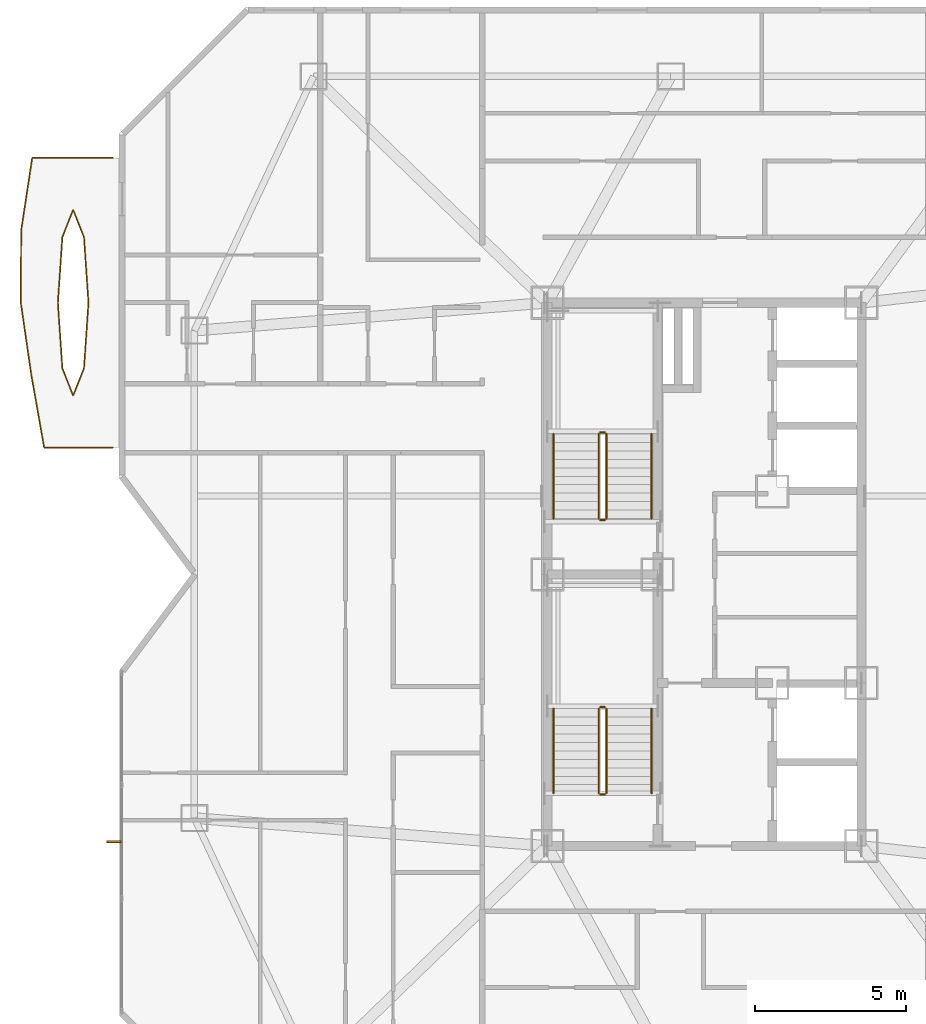
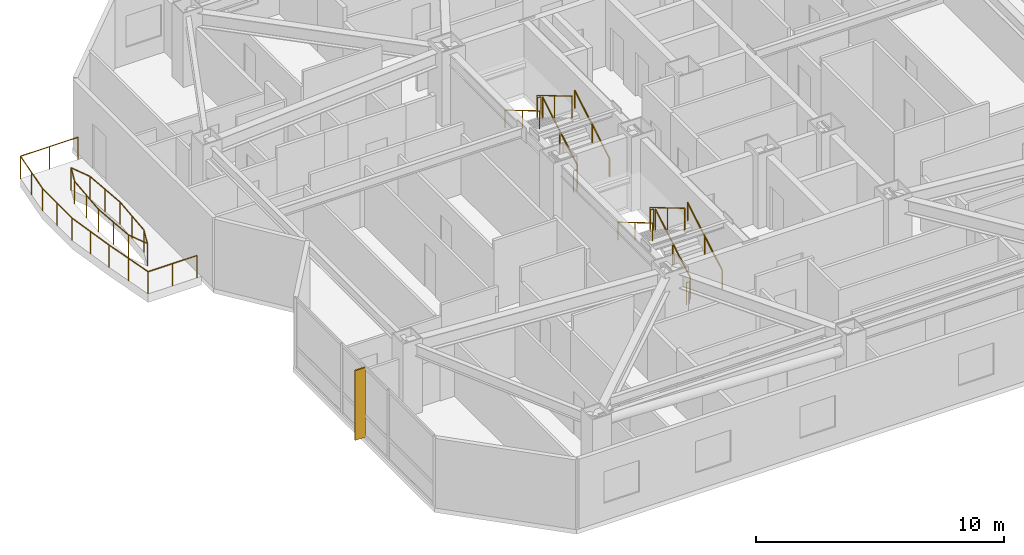
# One storey, part 15 of 16: 16 railings, 1 shading device.
"""IFC4 building model written with IfcOpenShell, lengths in metres."""

from ifc_helpers import new_model, si_unit, direction, frame, origin, origin_2d, place, context, subcontext, project, spatial, rectangle, circle, extrude, material, type_object, element, save


model = new_model("IFC4")

# Units and contexts
model_context = context("Model", 3, precision=1e-05, world=origin(), true_north=direction((0.0, 1.0)))
body_context = subcontext(model_context, "Body", "Model", "MODEL_VIEW")
ifc_project = project(units=[si_unit("LENGTHUNIT", "METRE"), si_unit("AREAUNIT", "SQUARE_METRE"), si_unit("VOLUMEUNIT", "CUBIC_METRE"), si_unit("PLANEANGLEUNIT", "RADIAN"), si_unit("MASSUNIT", "GRAM", prefix="KILO")], contexts=[model_context])

# Site, building, storey
site_placement = place(None, origin())
site = spatial("IfcSite", under=ifc_project, at=site_placement, CompositionType="ELEMENT")
building_placement = place(site_placement, origin())
building = spatial("IfcBuilding", under=site, at=building_placement, Name="Khamvora Tower", CompositionType="ELEMENT")
storey_placement = place(building_placement, frame((0.0, 0.0, 170.5)))
storey = spatial("IfcBuildingStorey", under=building, at=storey_placement, Name="L43", CompositionType="ELEMENT", Elevation=170.5)

# Railings
ifc_material_1 = material(Name="Stainless Steel 316 and Laminated Glass", Category="steel")
railing_type_1 = type_object("IfcRailingType", Name="RAL-GAL-1120", PredefinedType="GUARDRAIL", material=ifc_material_1)
railing_1_placement = place(storey_placement, frame((14.60009765625, 32.199951171875, 0.0)))
element("IfcRailing", 1, at=railing_1_placement, inside=storey, type_object=railing_type_1, Name="L43 lens gallery south perimeter guardrail WL2", PredefinedType="GUARDRAIL", context=body_context, shape_type="SweptSolid", body=[
    extrude(circle(Radius=0.02392578125, at=origin_2d()), frame((0.0, 0.0, 1.09619140625), z_axis=(-1.0, 0.0, 0.0), x_axis=(0.0, -1.0, 0.0)), (0.0, 0.0, 1.0), 2.278076171875),
    extrude(circle(Radius=0.02392578125, at=origin_2d()), frame((-2.278076171875, 0.0, 1.09619140625), z_axis=(-0.174379543474, 0.984678513434, 0.0), x_axis=(-0.984678513434, -0.174379543474, 0.0)), (0.0, 0.0, 1.0), 2.4375),
    extrude(circle(Radius=0.02392578125, at=origin_2d()), frame((-2.703125, 2.400146484375, 1.09619140625), z_axis=(-0.144253501275, 0.989540765896, 0.0), x_axis=(-0.989540765896, -0.144253501275, 0.0)), (0.0, 0.0, 1.0), 2.42529296875),
    extrude(circle(Radius=0.02099609375, at=origin_2d()), origin(), (0.0, 0.0, 1.0), 1.072021484375),
    extrude(circle(Radius=0.02099609375, at=origin_2d()), frame((-1.13916015625, 0.0, 0.0)), (0.0, 0.0, 1.0), 1.072021484375),
    extrude(circle(Radius=0.02099609375, at=origin_2d()), frame((-2.278076171875, 0.0, 0.0)), (0.0, 0.0, 1.0), 1.072021484375),
    extrude(circle(Radius=0.02099609375, at=origin_2d()), frame((-2.49072265625, 1.2001953125, 0.0)), (0.0, 0.0, 1.0), 1.072021484375),
    extrude(circle(Radius=0.02099609375, at=origin_2d()), frame((-2.703125, 2.400146484375, 0.0)), (0.0, 0.0, 1.0), 1.072021484375),
    extrude(circle(Radius=0.02099609375, at=origin_2d()), frame((-2.8779296875, 3.60009765625, 0.0)), (0.0, 0.0, 1.0), 1.072021484375),
    extrude(circle(Radius=0.02099609375, at=origin_2d()), frame((-3.052978515625, 4.800048828125, 0.0)), (0.0, 0.0, 1.0), 1.072021484375),
])
railing_2_placement = place(storey_placement, frame((11.547119140625, 37.0, 0.0)))
element("IfcRailing", 2, at=railing_2_placement, inside=storey, type_object=railing_type_1, Name="L43 lens gallery north perimeter guardrail WL2", PredefinedType="GUARDRAIL", context=body_context, shape_type="SweptSolid", body=[
    extrude(circle(Radius=0.02392578125, at=origin_2d()), frame((0.0, 0.0, 1.09619140625), z_axis=(0.005391579823, 0.999985465328, 0.0), x_axis=(-0.999985465328, 0.005391579823, 0.0)), (0.0, 0.0, 1.0), 2.39990234375),
    extrude(circle(Radius=0.02392578125, at=origin_2d()), frame((0.012939453125, 2.39990234375, 1.09619140625), z_axis=(0.150341572634, 0.988634114088, 0.0), x_axis=(-0.988634114088, 0.150341572634, 0.0)), (0.0, 0.0, 1.0), 2.427734375),
    extrude(circle(Radius=0.02392578125, at=origin_2d()), frame((0.3779296875, 4.800048828125, 1.09619140625), z_axis=(1.0, 0.0, 0.0), x_axis=(0.0, 1.0, 0.0)), (0.0, 0.0, 1.0), 2.675048828125),
    extrude(circle(Radius=0.02099609375, at=origin_2d()), origin(), (0.0, 0.0, 1.0), 1.072021484375),
    extrude(circle(Radius=0.02099609375, at=origin_2d()), frame((0.00634765625, 1.199951171875, 0.0)), (0.0, 0.0, 1.0), 1.072021484375),
    extrude(circle(Radius=0.02099609375, at=origin_2d()), frame((0.012939453125, 2.39990234375, 0.0)), (0.0, 0.0, 1.0), 1.072021484375),
    extrude(circle(Radius=0.02099609375, at=origin_2d()), frame((0.1953125, 3.60009765625, 0.0)), (0.0, 0.0, 1.0), 1.072021484375),
    extrude(circle(Radius=0.02099609375, at=origin_2d()), frame((0.3779296875, 4.800048828125, 0.0)), (0.0, 0.0, 1.0), 1.072021484375),
    extrude(circle(Radius=0.02099609375, at=origin_2d()), frame((1.71533203125, 4.800048828125, 0.0)), (0.0, 0.0, 1.0), 1.072021484375),
    extrude(circle(Radius=0.02099609375, at=origin_2d()), frame((3.052978515625, 4.800048828125, 0.0)), (0.0, 0.0, 1.0), 1.072021484375),
])
railing_3_placement = place(storey_placement, frame((13.7890625, 37.0, 0.0)))
element("IfcRailing", 3, at=railing_3_placement, inside=storey, type_object=railing_type_1, Name="L43 lens gallery void guardrail WL2A", PredefinedType="GUARDRAIL", context=body_context, shape_type="SweptSolid", body=[
    extrude(circle(Radius=0.02392578125, at=origin_2d()), frame((0.0, 0.0, 1.09619140625), z_axis=(-0.067955394668, 0.997688360329, 0.0), x_axis=(-0.997688360329, -0.067955394668, 0.0)), (0.0, 0.0, 1.0), 2.17724609375),
    extrude(circle(Radius=0.02392578125, at=origin_2d()), frame((-0.14794921875, 2.172119140625, 1.09619140625), z_axis=(-0.368039364147, 0.929810209902, 0.0), x_axis=(-0.929810209902, -0.368039364147, 0.0)), (0.0, 0.0, 1.0), 0.9677734375),
    extrude(circle(Radius=0.02392578125, at=origin_2d()), frame((-0.504150390625, 3.072021484375, 1.09619140625), z_axis=(-0.367821247872, -0.92989651554, 0.0), x_axis=(0.92989651554, -0.367821247872, 0.0)), (0.0, 0.0, 1.0), 0.9677734375),
    extrude(circle(Radius=0.02392578125, at=origin_2d()), frame((-0.860107421875, 2.172119140625, 1.09619140625), z_axis=(-0.067955394668, -0.997688360329, 0.0), x_axis=(0.997688360329, -0.067955394668, 0.0)), (0.0, 0.0, 1.0), 2.17724609375),
    extrude(circle(Radius=0.02099609375, at=origin_2d()), origin(), (0.0, 0.0, 1.0), 1.072021484375),
    extrude(circle(Radius=0.02099609375, at=origin_2d()), frame((-0.073974609375, 1.0859375, 0.0)), (0.0, 0.0, 1.0), 1.072021484375),
    extrude(circle(Radius=0.02099609375, at=origin_2d()), frame((-0.14794921875, 2.172119140625, 0.0)), (0.0, 0.0, 1.0), 1.072021484375),
    extrude(circle(Radius=0.02099609375, at=origin_2d()), frame((-0.504150390625, 3.072021484375, 0.0)), (0.0, 0.0, 1.0), 1.072021484375),
    extrude(circle(Radius=0.02099609375, at=origin_2d()), frame((-0.860107421875, 2.172119140625, 0.0)), (0.0, 0.0, 1.0), 1.072021484375),
    extrude(circle(Radius=0.02099609375, at=origin_2d()), frame((-0.93408203125, 1.0859375, 0.0)), (0.0, 0.0, 1.0), 1.072021484375),
    extrude(circle(Radius=0.02099609375, at=origin_2d()), frame((-1.008056640625, 0.0, 0.0)), (0.0, 0.0, 1.0), 1.072021484375),
])
railing_4_placement = place(storey_placement, frame((12.781005859375, 37.0, 0.0)))
element("IfcRailing", 4, at=railing_4_placement, inside=storey, type_object=railing_type_1, Name="L43 lens gallery void guardrail WL2B", PredefinedType="GUARDRAIL", context=body_context, shape_type="SweptSolid", body=[
    extrude(circle(Radius=0.02392578125, at=origin_2d()), frame((0.0, 0.0, 1.09619140625), z_axis=(0.067955394668, -0.997688360329, 0.0), x_axis=(0.997688360329, 0.067955394668, 0.0)), (0.0, 0.0, 1.0), 2.17724609375),
    extrude(circle(Radius=0.02392578125, at=origin_2d()), frame((0.14794921875, -2.172119140625, 1.09619140625), z_axis=(0.367821247872, -0.92989651554, 0.0), x_axis=(0.92989651554, 0.367821247872, 0.0)), (0.0, 0.0, 1.0), 0.9677734375),
    extrude(circle(Radius=0.02392578125, at=origin_2d()), frame((0.50390625, -3.072021484375, 1.09619140625), z_axis=(0.368039364147, 0.929810209902, 0.0), x_axis=(-0.929810209902, 0.368039364147, 0.0)), (0.0, 0.0, 1.0), 0.9677734375),
    extrude(circle(Radius=0.02392578125, at=origin_2d()), frame((0.860107421875, -2.172119140625, 1.09619140625), z_axis=(0.067955394668, 0.997688360329, 0.0), x_axis=(-0.997688360329, 0.067955394668, 0.0)), (0.0, 0.0, 1.0), 2.17724609375),
    extrude(circle(Radius=0.02099609375, at=origin_2d()), origin(), (0.0, 0.0, 1.0), 1.072021484375),
    extrude(circle(Radius=0.02099609375, at=origin_2d()), frame((0.073974609375, -1.0859375, 0.0)), (0.0, 0.0, 1.0), 1.072021484375),
    extrude(circle(Radius=0.02099609375, at=origin_2d()), frame((0.14794921875, -2.172119140625, 0.0)), (0.0, 0.0, 1.0), 1.072021484375),
    extrude(circle(Radius=0.02099609375, at=origin_2d()), frame((0.50390625, -3.072021484375, 0.0)), (0.0, 0.0, 1.0), 1.072021484375),
    extrude(circle(Radius=0.02099609375, at=origin_2d()), frame((0.860107421875, -2.172119140625, 0.0)), (0.0, 0.0, 1.0), 1.072021484375),
    extrude(circle(Radius=0.02099609375, at=origin_2d()), frame((0.93408203125, -1.0859375, 0.0)), (0.0, 0.0, 1.0), 1.072021484375),
    extrude(circle(Radius=0.02099609375, at=origin_2d()), frame((1.008056640625, 0.0, 0.0)), (0.0, 0.0, 1.0), 1.072021484375),
])
ifc_material_2 = material(Name="Brushed Stainless Steel 316", Category="steel")
railing_type_2 = type_object("IfcRailingType", Name="RAL-HDR-920", PredefinedType="HANDRAIL", material=ifc_material_2)
railing_5_placement = place(storey_placement, frame((32.449951171875, 20.75, 0.166015625)))
element("IfcRailing", 5, at=railing_5_placement, inside=storey, type_object=railing_type_2, Name="L43 ST-01 stair handrail 1", PredefinedType="HANDRAIL", context=body_context, shape_type="SweptSolid", body=[
    extrude(circle(Radius=0.02392578125, at=origin_2d()), frame((0.0, 0.0, 0.8759765625), z_axis=(0.0, 0.860339051648, 0.50972219513), x_axis=(-1.0, 0.0, 0.0)), (0.0, 0.0, 1.0), 3.254638671875),
    extrude(circle(Radius=0.02099609375, at=origin_2d()), origin(), (0.0, 0.0, 1.0), 0.851806640625),
    extrude(circle(Radius=0.02099609375, at=origin_2d()), frame((0.0, 1.39990234375, 0.82958984375)), (0.0, 0.0, 1.0), 0.851806640625),
    extrude(circle(Radius=0.02099609375, at=origin_2d()), frame((0.0, 2.800048828125, 1.658935546875)), (0.0, 0.0, 1.0), 0.851806640625),
])
railing_6_placement = place(storey_placement, frame((29.199951171875, 23.550048828125, 1.990966796875)))
element("IfcRailing", 6, at=railing_6_placement, inside=storey, type_object=railing_type_2, Name="L43 ST-01 stair handrail 2", PredefinedType="HANDRAIL", context=body_context, shape_type="SweptSolid", body=[
    extrude(circle(Radius=0.02392578125, at=origin_2d()), frame((0.0, 0.0, 0.8759765625), z_axis=(0.0, -0.860339051648, 0.50972219513), x_axis=(1.0, 0.0, 0.0)), (0.0, 0.0, 1.0), 3.254638671875),
    extrude(circle(Radius=0.02099609375, at=origin_2d()), origin(), (0.0, 0.0, 1.0), 0.851806640625),
    extrude(circle(Radius=0.02099609375, at=origin_2d()), frame((0.0, -1.39990234375, 0.82958984375)), (0.0, 0.0, 1.0), 0.851806640625),
    extrude(circle(Radius=0.02099609375, at=origin_2d()), frame((0.0, -2.800048828125, 1.658935546875)), (0.0, 0.0, 1.0), 0.851806640625),
])
railing_7_placement = place(storey_placement, frame((32.449951171875, 29.85009765625, 0.166015625)))
element("IfcRailing", 7, at=railing_7_placement, inside=storey, type_object=railing_type_2, Name="L43 ST-02 stair handrail 1", PredefinedType="HANDRAIL", context=body_context, shape_type="SweptSolid", body=[
    extrude(circle(Radius=0.02392578125, at=origin_2d()), frame((0.0, 0.0, 0.8759765625), z_axis=(0.0, 0.860319559791, 0.509755093197), x_axis=(-1.0, 0.0, 0.0)), (0.0, 0.0, 1.0), 3.25439453125),
    extrude(circle(Radius=0.02099609375, at=origin_2d()), origin(), (0.0, 0.0, 1.0), 0.851806640625),
    extrude(circle(Radius=0.02099609375, at=origin_2d()), frame((0.0, 1.39990234375, 0.82958984375)), (0.0, 0.0, 1.0), 0.851806640625),
    extrude(circle(Radius=0.02099609375, at=origin_2d()), frame((0.0, 2.7998046875, 1.658935546875)), (0.0, 0.0, 1.0), 0.851806640625),
])
railing_8_placement = place(storey_placement, frame((29.199951171875, 32.64990234375, 1.990966796875)))
element("IfcRailing", 8, at=railing_8_placement, inside=storey, type_object=railing_type_2, Name="L43 ST-02 stair handrail 2", PredefinedType="HANDRAIL", context=body_context, shape_type="SweptSolid", body=[
    extrude(circle(Radius=0.02392578125, at=origin_2d()), frame((0.0, 0.0, 0.8759765625), z_axis=(0.0, -0.860319559791, 0.509755093197), x_axis=(1.0, 0.0, 0.0)), (0.0, 0.0, 1.0), 3.25439453125),
    extrude(circle(Radius=0.02099609375, at=origin_2d()), origin(), (0.0, 0.0, 1.0), 0.851806640625),
    extrude(circle(Radius=0.02099609375, at=origin_2d()), frame((0.0, -1.39990234375, 0.82958984375)), (0.0, 0.0, 1.0), 0.851806640625),
    extrude(circle(Radius=0.02099609375, at=origin_2d()), frame((0.0, -2.7998046875, 1.658935546875)), (0.0, 0.0, 1.0), 0.851806640625),
])
ifc_material_3 = material(Name="Stainless Steel 316", Category="steel")
railing_type_3 = type_object("IfcRailingType", Name="RAL-STG-1100", PredefinedType="GUARDRAIL", material=ifc_material_3)
railing_9_placement = place(storey_placement, frame((30.949951171875, 20.75, 0.166015625)))
element("IfcRailing", 9, at=railing_9_placement, inside=storey, type_object=railing_type_3, Name="L43 ST-01 stair guard 1", PredefinedType="GUARDRAIL", context=body_context, shape_type="SweptSolid", body=[
    extrude(circle(Radius=0.02392578125, at=origin_2d()), frame((0.0, 0.0, 1.076171875), z_axis=(0.0, 0.860339051648, 0.50972219513), x_axis=(-1.0, 0.0, 0.0)), (0.0, 0.0, 1.0), 3.254638671875),
    extrude(circle(Radius=0.02099609375, at=origin_2d()), origin(), (0.0, 0.0, 1.0), 1.052001953125),
    extrude(circle(Radius=0.02099609375, at=origin_2d()), frame((0.0, 1.39990234375, 0.82958984375)), (0.0, 0.0, 1.0), 1.052001953125),
    extrude(circle(Radius=0.02099609375, at=origin_2d()), frame((0.0, 2.800048828125, 1.658935546875)), (0.0, 0.0, 1.0), 1.052001953125),
])
railing_10_placement = place(storey_placement, frame((30.89990234375, 23.60009765625, 1.824951171875)))
element("IfcRailing", 10, at=railing_10_placement, inside=storey, type_object=railing_type_3, Name="L43 ST-01 stair guard 2", PredefinedType="GUARDRAIL", context=body_context, shape_type="SweptSolid", body=[
    extrude(circle(Radius=0.02392578125, at=origin_2d()), frame((0.0, 0.0, 1.076171875), z_axis=(-1.0, 0.0, 0.0), x_axis=(0.0, -1.0, 0.0)), (0.0, 0.0, 1.0), 0.14990234375),
    extrude(circle(Radius=0.02099609375, at=origin_2d()), origin(), (0.0, 0.0, 1.0), 1.052001953125),
    extrude(circle(Radius=0.02099609375, at=origin_2d()), frame((-0.14990234375, 0.0, 0.0)), (0.0, 0.0, 1.0), 1.052001953125),
])
railing_11_placement = place(storey_placement, frame((30.699951171875, 23.550048828125, 1.990966796875)))
element("IfcRailing", 11, at=railing_11_placement, inside=storey, type_object=railing_type_3, Name="L43 ST-01 stair guard 3", PredefinedType="GUARDRAIL", context=body_context, shape_type="SweptSolid", body=[
    extrude(circle(Radius=0.02392578125, at=origin_2d()), frame((0.0, 0.0, 1.076171875), z_axis=(0.0, -0.860339051648, 0.50972219513), x_axis=(1.0, 0.0, 0.0)), (0.0, 0.0, 1.0), 3.254638671875),
    extrude(circle(Radius=0.02099609375, at=origin_2d()), origin(), (0.0, 0.0, 1.0), 1.052001953125),
    extrude(circle(Radius=0.02099609375, at=origin_2d()), frame((0.0, -1.39990234375, 0.82958984375)), (0.0, 0.0, 1.0), 1.052001953125),
    extrude(circle(Radius=0.02099609375, at=origin_2d()), frame((0.0, -2.800048828125, 1.658935546875)), (0.0, 0.0, 1.0), 1.052001953125),
])
railing_12_placement = place(storey_placement, frame((30.89990234375, 20.699951171875, 0.0)))
element("IfcRailing", 12, at=railing_12_placement, inside=storey, type_object=railing_type_3, Name="L43 ST-01 stair guard 4", PredefinedType="GUARDRAIL", context=body_context, shape_type="SweptSolid", body=[
    extrude(circle(Radius=0.02392578125, at=origin_2d()), frame((0.0, 0.0, 1.076171875), z_axis=(-1.0, 0.0, 0.0), x_axis=(0.0, -1.0, 0.0)), (0.0, 0.0, 1.0), 0.14990234375),
    extrude(circle(Radius=0.02099609375, at=origin_2d()), origin(), (0.0, 0.0, 1.0), 1.052001953125),
    extrude(circle(Radius=0.02099609375, at=origin_2d()), frame((-0.14990234375, 0.0, 0.0)), (0.0, 0.0, 1.0), 1.052001953125),
])
railing_13_placement = place(storey_placement, frame((30.949951171875, 29.85009765625, 0.166015625)))
element("IfcRailing", 13, at=railing_13_placement, inside=storey, type_object=railing_type_3, Name="L43 ST-02 stair guard 1", PredefinedType="GUARDRAIL", context=body_context, shape_type="SweptSolid", body=[
    extrude(circle(Radius=0.02392578125, at=origin_2d()), frame((0.0, 0.0, 1.076171875), z_axis=(0.0, 0.860319559791, 0.509755093197), x_axis=(-1.0, 0.0, 0.0)), (0.0, 0.0, 1.0), 3.25439453125),
    extrude(circle(Radius=0.02099609375, at=origin_2d()), origin(), (0.0, 0.0, 1.0), 1.052001953125),
    extrude(circle(Radius=0.02099609375, at=origin_2d()), frame((0.0, 1.39990234375, 0.82958984375)), (0.0, 0.0, 1.0), 1.052001953125),
    extrude(circle(Radius=0.02099609375, at=origin_2d()), frame((0.0, 2.7998046875, 1.658935546875)), (0.0, 0.0, 1.0), 1.052001953125),
])
railing_14_placement = place(storey_placement, frame((30.89990234375, 32.699951171875, 1.824951171875)))
element("IfcRailing", 14, at=railing_14_placement, inside=storey, type_object=railing_type_3, Name="L43 ST-02 stair guard 2", PredefinedType="GUARDRAIL", context=body_context, shape_type="SweptSolid", body=[
    extrude(circle(Radius=0.02392578125, at=origin_2d()), frame((0.0, 0.0, 1.076171875), z_axis=(-1.0, 0.0, 0.0), x_axis=(0.0, -1.0, 0.0)), (0.0, 0.0, 1.0), 0.14990234375),
    extrude(circle(Radius=0.02099609375, at=origin_2d()), origin(), (0.0, 0.0, 1.0), 1.052001953125),
    extrude(circle(Radius=0.02099609375, at=origin_2d()), frame((-0.14990234375, 0.0, 0.0)), (0.0, 0.0, 1.0), 1.052001953125),
])
railing_15_placement = place(storey_placement, frame((30.699951171875, 32.64990234375, 1.990966796875)))
element("IfcRailing", 15, at=railing_15_placement, inside=storey, type_object=railing_type_3, Name="L43 ST-02 stair guard 3", PredefinedType="GUARDRAIL", context=body_context, shape_type="SweptSolid", body=[
    extrude(circle(Radius=0.02392578125, at=origin_2d()), frame((0.0, 0.0, 1.076171875), z_axis=(0.0, -0.860319559791, 0.509755093197), x_axis=(1.0, 0.0, 0.0)), (0.0, 0.0, 1.0), 3.25439453125),
    extrude(circle(Radius=0.02099609375, at=origin_2d()), origin(), (0.0, 0.0, 1.0), 1.052001953125),
    extrude(circle(Radius=0.02099609375, at=origin_2d()), frame((0.0, -1.39990234375, 0.82958984375)), (0.0, 0.0, 1.0), 1.052001953125),
    extrude(circle(Radius=0.02099609375, at=origin_2d()), frame((0.0, -2.7998046875, 1.658935546875)), (0.0, 0.0, 1.0), 1.052001953125),
])
railing_16_placement = place(storey_placement, frame((30.89990234375, 29.800048828125, 0.0)))
element("IfcRailing", 16, at=railing_16_placement, inside=storey, type_object=railing_type_3, Name="L43 ST-02 stair guard 4", PredefinedType="GUARDRAIL", context=body_context, shape_type="SweptSolid", body=[
    extrude(circle(Radius=0.02392578125, at=origin_2d()), frame((0.0, 0.0, 1.076171875), z_axis=(-1.0, 0.0, 0.0), x_axis=(0.0, -1.0, 0.0)), (0.0, 0.0, 1.0), 0.14990234375),
    extrude(circle(Radius=0.02099609375, at=origin_2d()), origin(), (0.0, 0.0, 1.0), 1.052001953125),
    extrude(circle(Radius=0.02099609375, at=origin_2d()), frame((-0.14990234375, 0.0, 0.0)), (0.0, 0.0, 1.0), 1.052001953125),
])

# Shading device
ifc_material_4 = material(Name="Anodised Bronze Aluminium 6063-T6", Category="aluminium")
shading_device_type = type_object("IfcShadingDeviceType", Name="SHD-FIN-480", PredefinedType="USERDEFINED", material=ifc_material_4)
shading_device_placement = place(storey_placement, frame((14.64306640625, 19.135986328125, 0.0), z_axis=(0.0, 0.0, 1.0), x_axis=(0.0, 1.0, 0.0)))
element("IfcShadingDevice", 17, at=shading_device_placement, inside=storey, type_object=shading_device_type, Name="L43 anodised bronze solar fin 02.01", ObjectType="FIN", PredefinedType="USERDEFINED", context=body_context, shape_type="SweptSolid", body=[
    extrude(rectangle(XDim=0.06494140625, YDim=0.47998046875, at=origin_2d()), origin(), (0.0, 0.0, 1.0), 3.429931640625),
])

save(model, "model.ifc")
